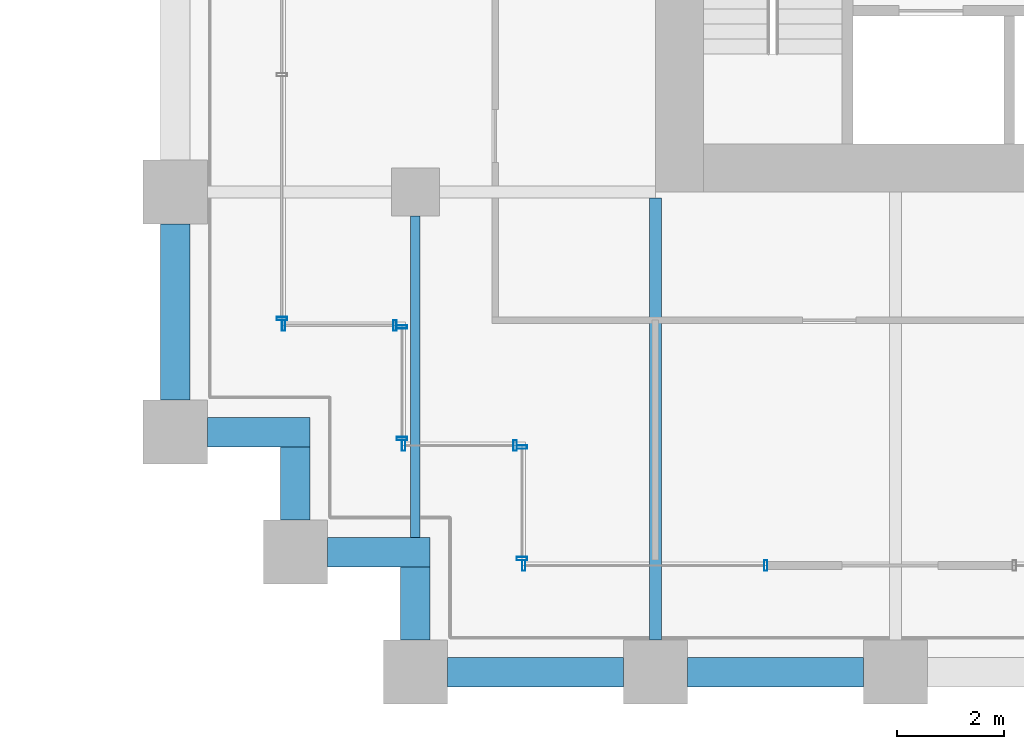
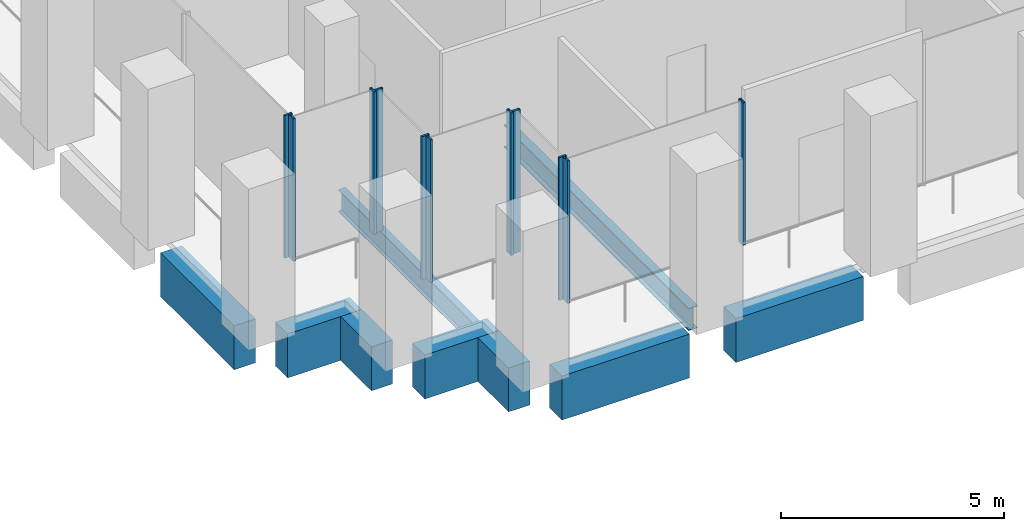
# One storey, part 19 of 36: 11 members, 9 beams, 6 elements without a shape of their own.
"""IFC4 building model written with IfcOpenShell, lengths in metres."""

import ifcopenshell
import ifcopenshell.guid

model = None  # the IFC model being written
_history = None  # IfcOwnerHistory: only IFC2X3 demands one
_inside = {}  # id of a spatial element -> (the spatial element, [elements in it])
_under = {}  # id of a project, library or spatial element -> (it, [spatial elements below it])
_declared = {}  # id of a project -> (the project, [libraries it declares])
_typed = {}  # id of a type object -> (the type object, [elements of that type])
_made_of = {}  # id of a material, layer set ... -> (it, [elements and type objects made of it])


def new_model(schema):
    """Start an empty IFC model of exactly this schema.

    Asked for "IFC4X3", IfcOpenShell would pick the latest addendum, in which some entities
    have other attributes; the version numbers below select the first issue.
    IFC2X3 requires an IfcOwnerHistory on every rooted entity: one is made here for all.
    """
    global model, _history
    if schema == "IFC4X3":
        model = ifcopenshell.file(schema_version=(4, 3, 0, 0))
    else:
        model = ifcopenshell.file(schema=schema)
    _inside.clear()
    _under.clear()
    _declared.clear()
    _typed.clear()
    _made_of.clear()
    _history = None
    if model.schema == "IFC2X3":
        org = make("IfcOrganization", Name="unknown")
        user = make(
            "IfcPersonAndOrganization",
            ThePerson=make("IfcPerson", FamilyName="unknown"),
            TheOrganization=org,
        )
        app = make(
            "IfcApplication",
            ApplicationDeveloper=org,
            Version="unknown",
            ApplicationFullName="unknown",
            ApplicationIdentifier="unknown",
        )
        _history = make(
            "IfcOwnerHistory",
            OwningUser=user,
            OwningApplication=app,
            ChangeAction="ADDED",
            CreationDate=0,
        )
    return model


def make(cls, **values):
    """One entity of the class cls with the attributes given. An attribute that is None is left unset."""
    return model.create_entity(
        cls, **{name: value for name, value in values.items() if value is not None}
    )


def rooted(cls, **values):
    """An entity with a GlobalId (a new one), such as an element, a storey or a relation."""
    return make(cls, GlobalId=ifcopenshell.guid.new(), OwnerHistory=_history, **values)


def si_unit(unit_type, name, prefix=None):
    """IfcSIUnit, for example si_unit("LENGTHUNIT", "METRE", prefix="MILLI")."""
    return make("IfcSIUnit", UnitType=unit_type, Prefix=prefix, Name=name)


def assignment(units):
    """IfcUnitAssignment: the units of a project."""
    return None if units is None else make("IfcUnitAssignment", Units=units)


def point(xyz):
    """IfcCartesianPoint."""
    return None if xyz is None else make("IfcCartesianPoint", Coordinates=xyz)


def direction(xyz):
    """IfcDirection."""
    return None if xyz is None else make("IfcDirection", DirectionRatios=xyz)


def frame(location, z_axis=None, x_axis=None):
    """IfcAxis2Placement3D, a coordinate frame: its origin and axes. An axis left out is left unset."""
    return make(
        "IfcAxis2Placement3D",
        Location=point(location),
        Axis=direction(z_axis),
        RefDirection=direction(x_axis),
    )


def frame_2d(location, x_axis=None):
    """IfcAxis2Placement2D, a coordinate frame in the plane: its origin and x axis."""
    return make(
        "IfcAxis2Placement2D", Location=point(location), RefDirection=direction(x_axis)
    )


def origin():
    """The frame at (0, 0, 0) with its axes left unset."""
    return frame((0.0, 0.0, 0.0))


def origin_2d():
    """The frame at (0, 0) in the plane with its x axis left unset."""
    return frame_2d((0.0, 0.0))


def place(relative_to, where):
    """IfcLocalPlacement: puts the frame where relative to a parent placement (None: the world)."""
    return make(
        "IfcLocalPlacement", PlacementRelTo=relative_to, RelativePlacement=where
    )


def context(
    kind, dimensions, precision=None, world=None, true_north=None, identifier=None
):
    """IfcGeometricRepresentationContext, for example the 3D "Model" context."""
    return make(
        "IfcGeometricRepresentationContext",
        ContextIdentifier=identifier,
        ContextType=kind,
        CoordinateSpaceDimension=dimensions,
        Precision=precision,
        WorldCoordinateSystem=world,
        TrueNorth=true_north,
    )


def subcontext(parent, identifier, kind, view, scale=None):
    """IfcGeometricRepresentationSubContext, for example "Body" below "Model"."""
    return make(
        "IfcGeometricRepresentationSubContext",
        ContextIdentifier=identifier,
        ContextType=kind,
        ParentContext=parent,
        TargetScale=scale,
        TargetView=view,
    )


def project(units=None, contexts=None):
    """IfcProject with its units and contexts."""
    return rooted(
        "IfcProject",
        Name="project",
        RepresentationContexts=contexts,
        UnitsInContext=assignment(units),
    )


def spatial(cls, under=None, at=None, **own):
    """A site, building, storey or space (cls), placed at a placement, below another one or the project."""
    s = rooted(cls, ObjectPlacement=at, **own)
    if under is not None:
        _under.setdefault(under.id(), (under, []))[1].append(s)
    return s


def profile(cls, at=None, kind="AREA", **sizes):
    """A parametric profile (cls). Its sizes go by their IFC names, for example OverallWidth=200.0."""
    return make(cls, ProfileType=kind, Position=at, **sizes)


def rectangle(**sizes):
    """IfcRectangleProfileDef."""
    return profile("IfcRectangleProfileDef", **sizes)


def hollow_rectangle(**sizes):
    """IfcRectangleHollowProfileDef."""
    return profile("IfcRectangleHollowProfileDef", **sizes)


def i_section(**sizes):
    """IfcIShapeProfileDef."""
    return profile("IfcIShapeProfileDef", **sizes)


def extrude(swept, where, along, depth):
    """IfcExtrudedAreaSolid: the profile swept, set in the frame where, extruded along a direction by depth."""
    return make(
        "IfcExtrudedAreaSolid",
        SweptArea=swept,
        Position=where,
        ExtrudedDirection=direction(along),
        Depth=depth,
    )


def shape(context_of_items, identifier, shape_type, items):
    """IfcShapeRepresentation: the items that make up one representation, for example the "Body"."""
    return make(
        "IfcShapeRepresentation",
        ContextOfItems=context_of_items,
        RepresentationIdentifier=identifier,
        RepresentationType=shape_type,
        Items=items,
    )


def material(Name=None, Category=None):
    """IfcMaterial."""
    return make("IfcMaterial", Name=Name, Category=Category)


def material_profile(
    of_material, cross_section, Name=None, Category=None, Priority=None
):
    """IfcMaterialProfile: a cross section and its material."""
    return make(
        "IfcMaterialProfile",
        Name=Name,
        Material=of_material,
        Profile=cross_section,
        Priority=Priority,
        Category=Category,
    )


def profile_set(profiles, Name=None, composite=None):
    """IfcMaterialProfileSet."""
    return make(
        "IfcMaterialProfileSet",
        Name=Name,
        MaterialProfiles=profiles,
        CompositeProfile=composite,
    )


def made_of(thing, what):
    """Note that an element or type object is made of a material, layer set ...; save() writes the relation."""
    if what is not None:
        _made_of.setdefault(what.id(), (what, []))[1].append(thing)
    return thing


def type_object(cls, material=None, **own):
    """A type object (cls), such as IfcWallType, which elements share."""
    return made_of(rooted(cls, **own), material)


def element(
    cls,
    number,
    at=None,
    inside=None,
    cuts=None,
    type_object=None,
    material=None,
    context=None,
    identifier="Body",
    shape_type=None,
    held_by="IfcProductDefinitionShape",
    body=None,
    shapes=None,
    **own,
):
    """One element of the class cls, such as IfcWall. Its Tag is "e" and its number.

    at: its placement. inside: the storey or other place that contains it. cuts: it is an
    opening in that element (IfcRelVoidsElement). A single representation is given by context,
    identifier, shape_type and body (its items); several are given by shapes. held_by: the class
    of the entity that holds the representations. save() writes the other relations.
    """
    e = rooted(cls, Tag="e%d" % number, ObjectPlacement=at, **own)
    if body is not None:
        shapes = [shape(context, identifier, shape_type, body)]
    if shapes is not None:
        e.Representation = make(held_by, Representations=shapes)
    if inside is not None:
        _inside.setdefault(inside.id(), (inside, []))[1].append(e)
    if cuts is not None:
        rooted(
            "IfcRelVoidsElement", RelatingBuildingElement=cuts, RelatedOpeningElement=e
        )
    if type_object is not None:
        _typed.setdefault(type_object.id(), (type_object, []))[1].append(e)
    return made_of(e, material)


def aggregate(whole, parts):
    """IfcRelAggregates: a whole, such as a stair, and the parts it consists of."""
    return rooted("IfcRelAggregates", RelatingObject=whole, RelatedObjects=parts)


def save(model, path):
    """Write the relations noted so far, then the file.

    IfcRelAggregates (storeys below a building ...), IfcRelContainedInSpatialStructure (elements
    in a storey), IfcRelDefinesByType, IfcRelAssociatesMaterial and IfcRelDeclares: one each for
    every whole, place, type object, material and project.
    """
    for whole, parts in _under.values():
        aggregate(whole, parts)
    for where, things in _inside.values():
        rooted(
            "IfcRelContainedInSpatialStructure",
            RelatedElements=things,
            RelatingStructure=where,
        )
    for kind, things in _typed.values():
        rooted("IfcRelDefinesByType", RelatedObjects=things, RelatingType=kind)
    for what, things in _made_of.values():
        rooted("IfcRelAssociatesMaterial", RelatedObjects=things, RelatingMaterial=what)
    for by, libraries in _declared.values():
        rooted("IfcRelDeclares", RelatingContext=by, RelatedDefinitions=libraries)
    model.write(path)


model = new_model("IFC4")

# Units and contexts
model_context = context("Model", 3, precision=1e-05, world=origin(), true_north=direction((0.0, 1.0)))
body_context = subcontext(model_context, "Body", "Model", "MODEL_VIEW")
ifc_project = project(units=[si_unit("LENGTHUNIT", "METRE"), si_unit("AREAUNIT", "SQUARE_METRE"), si_unit("VOLUMEUNIT", "CUBIC_METRE"), si_unit("PLANEANGLEUNIT", "RADIAN"), si_unit("MASSUNIT", "GRAM", prefix="KILO")], contexts=[model_context])

# Site, building, storey
site_placement = place(None, origin())
site = spatial("IfcSite", under=ifc_project, at=site_placement, CompositionType="ELEMENT")
building_placement = place(site_placement, origin())
building = spatial("IfcBuilding", under=site, at=building_placement, Name="Altepetl Exchange Towers", CompositionType="ELEMENT")
storey_placement = place(building_placement, frame((0.0, 0.0, 34.199951171875)))
storey = spatial("IfcBuildingStorey", under=building, at=storey_placement, Name="L07", CompositionType="ELEMENT", Elevation=34.199951171875)

# Beams
ifc_material_1 = material(Name="Steel S355", Category="steel")
ifc_material_profile_1 = material_profile(ifc_material_1, i_section(OverallWidth=0.178955078125, OverallDepth=0.60302734375, WebThickness=0.010986328125, FlangeThickness=0.014892578125, at=origin_2d()), Name="W24X62")
ifc_profile_set_1 = profile_set([ifc_material_profile_1], Name="Steel S355")
beam_type_1 = type_object("IfcBeamType", Name="Floor beam W24X62", PredefinedType="BEAM", material=ifc_profile_set_1)
beam_1_placement = place(storey_placement, frame((99.0, 29.52490234375, -0.4765625), z_axis=(0.0, 1.0, 0.0), x_axis=(-1.0, 0.0, 0.0)))
element("IfcBeam", 1, at=beam_1_placement, inside=storey, type_object=beam_type_1, Name="bm:B:L07:008", PredefinedType="BEAM", context=body_context, shape_type="SweptSolid", body=[
    extrude(i_section(OverallWidth=0.178955078125, OverallDepth=0.60302734375, WebThickness=0.010986328125, FlangeThickness=0.014892578125, at=origin_2d()), origin(), (0.0, 0.0, 1.0), 6.025146484375),
])
ifc_material_profile_2 = material_profile(ifc_material_1, i_section(OverallWidth=0.22900390625, OverallDepth=0.612060546875, WebThickness=0.011962890625, FlangeThickness=0.01953125, at=origin_2d()), Name="W24X84")
ifc_profile_set_2 = profile_set([ifc_material_profile_2], Name="Steel S355")
beam_type_2 = type_object("IfcBeamType", Name="Floor beam W24X84", PredefinedType="BEAM", material=ifc_profile_set_2)
beam_2_placement = place(storey_placement, frame((103.5, 27.60009765625, -0.48095703125), z_axis=(0.0, 1.0, 0.0), x_axis=(-1.0, 0.0, 0.0)))
element("IfcBeam", 2, at=beam_2_placement, inside=storey, type_object=beam_type_2, Name="bm:B:L07:009", PredefinedType="BEAM", context=body_context, shape_type="SweptSolid", body=[
    extrude(i_section(OverallWidth=0.22900390625, OverallDepth=0.612060546875, WebThickness=0.011962890625, FlangeThickness=0.01953125, at=origin_2d()), origin(), (0.0, 0.0, 1.0), 8.285888671875),
])

# Curtain wall, member
ifc_material_2 = material(Name="Aluminium 6063-T6 glazing", Category="aluminium")
curtain_wall_type = type_object("IfcCurtainWallType", Name="Trading floor glazing system", PredefinedType="NOTDEFINED", material=ifc_material_2)
curtain_wall_1_placement = place(storey_placement, origin())
curtain_wall_1 = element("IfcCurtainWall", 3, at=curtain_wall_1_placement, inside=storey, type_object=curtain_wall_type, Name="CW2 run", PredefinedType="NOTDEFINED")
ifc_material_3 = material(Name="Aluminium 6063-T6", Category="aluminium")
ifc_material_profile_3 = material_profile(ifc_material_3, hollow_rectangle(XDim=0.06005859375, YDim=0.199951171875, WallThickness=0.0029296875, at=origin_2d()), Name="Mullion 60x200 aluminium")
ifc_profile_set_3 = profile_set([ifc_material_profile_3], Name="Aluminium 6063-T6")
member_type = type_object("IfcMemberType", Name="Mullion 60x200 aluminium", PredefinedType="MULLION", material=ifc_profile_set_3)
member_1_placement = place(storey_placement, frame((96.5, 33.6298828125, 0.0), z_axis=(0.0, 0.0, 1.0), x_axis=(0.0, -1.0, 0.0)))
member_1 = element("IfcMember", 4, at=member_1_placement, type_object=member_type, Name="MU2 mullion", PredefinedType="MULLION", context=body_context, shape_type="SweptSolid", body=[
    extrude(hollow_rectangle(XDim=0.06005859375, YDim=0.199951171875, WallThickness=0.0029296875, at=origin_2d()), origin(), (0.0, 0.0, 1.0), 3.900146484375),
])
aggregate(curtain_wall_1, [member_1])

# Curtain wall, members
curtain_wall_2_placement = place(storey_placement, origin())
curtain_wall_2 = element("IfcCurtainWall", 5, at=curtain_wall_2_placement, inside=storey, type_object=curtain_wall_type, Name="CW2 run", PredefinedType="NOTDEFINED")
member_2_placement = place(storey_placement, frame((96.530029296875, 33.5, 0.0)))
member_2 = element("IfcMember", 6, at=member_2_placement, type_object=member_type, Name="MU2 mullion", PredefinedType="MULLION", context=body_context, shape_type="SweptSolid", body=[
    extrude(hollow_rectangle(XDim=0.06005859375, YDim=0.199951171875, WallThickness=0.0029296875, at=origin_2d()), origin(), (0.0, 0.0, 1.0), 3.900146484375),
])
member_3_placement = place(storey_placement, frame((98.6201171875, 33.5, 0.0)))
member_3 = element("IfcMember", 7, at=member_3_placement, type_object=member_type, Name="MU2 mullion", PredefinedType="MULLION", context=body_context, shape_type="SweptSolid", body=[
    extrude(hollow_rectangle(XDim=0.06005859375, YDim=0.199951171875, WallThickness=0.0029296875, at=origin_2d()), origin(), (0.0, 0.0, 1.0), 3.900146484375),
])
aggregate(curtain_wall_2, [member_2, member_3])

curtain_wall_3_placement = place(storey_placement, origin())
curtain_wall_3 = element("IfcCurtainWall", 8, at=curtain_wall_3_placement, inside=storey, type_object=curtain_wall_type, Name="CW2 run", PredefinedType="NOTDEFINED")
member_4_placement = place(storey_placement, frame((98.75, 33.469970703125, 0.0), z_axis=(0.0, 0.0, 1.0), x_axis=(0.0, -1.0, 0.0)))
member_4 = element("IfcMember", 9, at=member_4_placement, type_object=member_type, Name="MU2 mullion", PredefinedType="MULLION", context=body_context, shape_type="SweptSolid", body=[
    extrude(hollow_rectangle(XDim=0.06005859375, YDim=0.199951171875, WallThickness=0.0029296875, at=origin_2d()), origin(), (0.0, 0.0, 1.0), 3.900146484375),
])
member_5_placement = place(storey_placement, frame((98.75, 31.3798828125, 0.0), z_axis=(0.0, 0.0, 1.0), x_axis=(0.0, -1.0, 0.0)))
member_5 = element("IfcMember", 10, at=member_5_placement, type_object=member_type, Name="MU2 mullion", PredefinedType="MULLION", context=body_context, shape_type="SweptSolid", body=[
    extrude(hollow_rectangle(XDim=0.06005859375, YDim=0.199951171875, WallThickness=0.0029296875, at=origin_2d()), origin(), (0.0, 0.0, 1.0), 3.900146484375),
])
aggregate(curtain_wall_3, [member_4, member_5])

curtain_wall_4_placement = place(storey_placement, origin())
curtain_wall_4 = element("IfcCurtainWall", 11, at=curtain_wall_4_placement, inside=storey, type_object=curtain_wall_type, Name="CW2 run", PredefinedType="NOTDEFINED")
member_6_placement = place(storey_placement, frame((98.780029296875, 31.25, 0.0)))
member_6 = element("IfcMember", 12, at=member_6_placement, type_object=member_type, Name="MU2 mullion", PredefinedType="MULLION", context=body_context, shape_type="SweptSolid", body=[
    extrude(hollow_rectangle(XDim=0.06005859375, YDim=0.199951171875, WallThickness=0.0029296875, at=origin_2d()), origin(), (0.0, 0.0, 1.0), 3.900146484375),
])
member_7_placement = place(storey_placement, frame((100.8701171875, 31.25, 0.0)))
member_7 = element("IfcMember", 13, at=member_7_placement, type_object=member_type, Name="MU2 mullion", PredefinedType="MULLION", context=body_context, shape_type="SweptSolid", body=[
    extrude(hollow_rectangle(XDim=0.06005859375, YDim=0.199951171875, WallThickness=0.0029296875, at=origin_2d()), origin(), (0.0, 0.0, 1.0), 3.900146484375),
])
aggregate(curtain_wall_4, [member_6, member_7])

curtain_wall_5_placement = place(storey_placement, origin())
curtain_wall_5 = element("IfcCurtainWall", 14, at=curtain_wall_5_placement, inside=storey, type_object=curtain_wall_type, Name="CW2 run", PredefinedType="NOTDEFINED")
member_8_placement = place(storey_placement, frame((101.0, 31.219970703125, 0.0), z_axis=(0.0, 0.0, 1.0), x_axis=(0.0, -1.0, 0.0)))
member_8 = element("IfcMember", 15, at=member_8_placement, type_object=member_type, Name="MU2 mullion", PredefinedType="MULLION", context=body_context, shape_type="SweptSolid", body=[
    extrude(hollow_rectangle(XDim=0.06005859375, YDim=0.199951171875, WallThickness=0.0029296875, at=origin_2d()), origin(), (0.0, 0.0, 1.0), 3.900146484375),
])
member_9_placement = place(storey_placement, frame((101.0, 29.1298828125, 0.0), z_axis=(0.0, 0.0, 1.0), x_axis=(0.0, -1.0, 0.0)))
member_9 = element("IfcMember", 16, at=member_9_placement, type_object=member_type, Name="MU2 mullion", PredefinedType="MULLION", context=body_context, shape_type="SweptSolid", body=[
    extrude(hollow_rectangle(XDim=0.06005859375, YDim=0.199951171875, WallThickness=0.0029296875, at=origin_2d()), origin(), (0.0, 0.0, 1.0), 3.900146484375),
])
aggregate(curtain_wall_5, [member_8, member_9])

curtain_wall_6_placement = place(storey_placement, origin())
curtain_wall_6 = element("IfcCurtainWall", 17, at=curtain_wall_6_placement, inside=storey, type_object=curtain_wall_type, Name="CW2 run", PredefinedType="NOTDEFINED")
member_10_placement = place(storey_placement, frame((101.030029296875, 29.0, 0.0)))
member_10 = element("IfcMember", 18, at=member_10_placement, type_object=member_type, Name="MU2 mullion", PredefinedType="MULLION", context=body_context, shape_type="SweptSolid", body=[
    extrude(hollow_rectangle(XDim=0.06005859375, YDim=0.199951171875, WallThickness=0.0029296875, at=origin_2d()), origin(), (0.0, 0.0, 1.0), 3.900146484375),
])
member_11_placement = place(storey_placement, frame((105.570068359375, 29.0, 0.0)))
member_11 = element("IfcMember", 19, at=member_11_placement, type_object=member_type, Name="MU2 mullion", PredefinedType="MULLION", context=body_context, shape_type="SweptSolid", body=[
    extrude(hollow_rectangle(XDim=0.06005859375, YDim=0.199951171875, WallThickness=0.0029296875, at=origin_2d()), origin(), (0.0, 0.0, 1.0), 3.900146484375),
])
aggregate(curtain_wall_6, [member_10, member_11])

# Beams
ifc_material_4 = material(Name="Concrete C50/60 precast with tezontle facing", Category="concrete")
ifc_material_profile_4 = material_profile(ifc_material_4, rectangle(XDim=0.550048828125, YDim=1.199951171875, at=origin_2d()), Name="550 x 1200")
ifc_profile_set_4 = profile_set([ifc_material_profile_4], Name="Concrete C50/60 precast with tezontle facing")
beam_type_3 = type_object("IfcBeamType", Name="Spandrel beam 550x1200 tezontle", PredefinedType="SPANDREL", material=ifc_profile_set_4)
for number, where, z_axis, x_axis, name in (
    (20, (99.60009765625, 27.0, -0.77490234375), (1.0, 0.0, 0.0), (0.0, 1.0, 0.0), "sp:B:L07:000"),
    (21, (104.10009765625, 27.0, -0.77490234375), (1.0, 0.0, 0.0), (0.0, 1.0, 0.0), "sp:B:L07:001"),
    (22, (94.5, 35.39990234375, -0.77490234375), (0.0, -1.0, 0.0), (1.0, 0.0, 0.0), "sp:B:L07:031"),
):
    element("IfcBeam", number, at=place(storey_placement, frame(where, z_axis=z_axis, x_axis=x_axis)), inside=storey, type_object=beam_type_3, Name=name, PredefinedType="SPANDREL", context=body_context, shape_type="SweptSolid", body=[
        extrude(rectangle(XDim=0.550048828125, YDim=1.199951171875, at=origin_2d()), origin(), (0.0, 0.0, 1.0), 3.2998046875),
    ])
beam_3_placement = place(storey_placement, frame((95.10009765625, 31.5, -0.77490234375), z_axis=(1.0, 0.0, 0.0), x_axis=(0.0, 1.0, 0.0)))
element("IfcBeam", 23, at=beam_3_placement, inside=storey, type_object=beam_type_3, Name="sp:B:L07:032", PredefinedType="SPANDREL", context=body_context, shape_type="SweptSolid", body=[
    extrude(rectangle(XDim=0.550048828125, YDim=1.199951171875, at=origin_2d()), origin(), (0.0, 0.0, 1.0), 1.9248046875),
])
beam_4_placement = place(storey_placement, frame((96.75, 31.22509765625, -0.77490234375), z_axis=(0.0, -1.0, 0.0), x_axis=(1.0, 0.0, 0.0)))
element("IfcBeam", 24, at=beam_4_placement, inside=storey, type_object=beam_type_3, Name="sp:B:L07:033", PredefinedType="SPANDREL", context=body_context, shape_type="SweptSolid", body=[
    extrude(rectangle(XDim=0.550048828125, YDim=1.199951171875, at=origin_2d()), origin(), (0.0, 0.0, 1.0), 1.375),
])
beam_5_placement = place(storey_placement, frame((97.35009765625, 29.25, -0.77490234375), z_axis=(1.0, 0.0, 0.0), x_axis=(0.0, 1.0, 0.0)))
element("IfcBeam", 25, at=beam_5_placement, inside=storey, type_object=beam_type_3, Name="sp:B:L07:034", PredefinedType="SPANDREL", context=body_context, shape_type="SweptSolid", body=[
    extrude(rectangle(XDim=0.550048828125, YDim=1.199951171875, at=origin_2d()), origin(), (0.0, 0.0, 1.0), 1.9248046875),
])
beam_6_placement = place(storey_placement, frame((99.0, 28.97509765625, -0.77490234375), z_axis=(0.0, -1.0, 0.0), x_axis=(1.0, 0.0, 0.0)))
element("IfcBeam", 26, at=beam_6_placement, inside=storey, type_object=beam_type_3, Name="sp:B:L07:035", PredefinedType="SPANDREL", context=body_context, shape_type="SweptSolid", body=[
    extrude(rectangle(XDim=0.550048828125, YDim=1.199951171875, at=origin_2d()), origin(), (0.0, 0.0, 1.0), 1.375),
])

save(model, "model.ifc")
